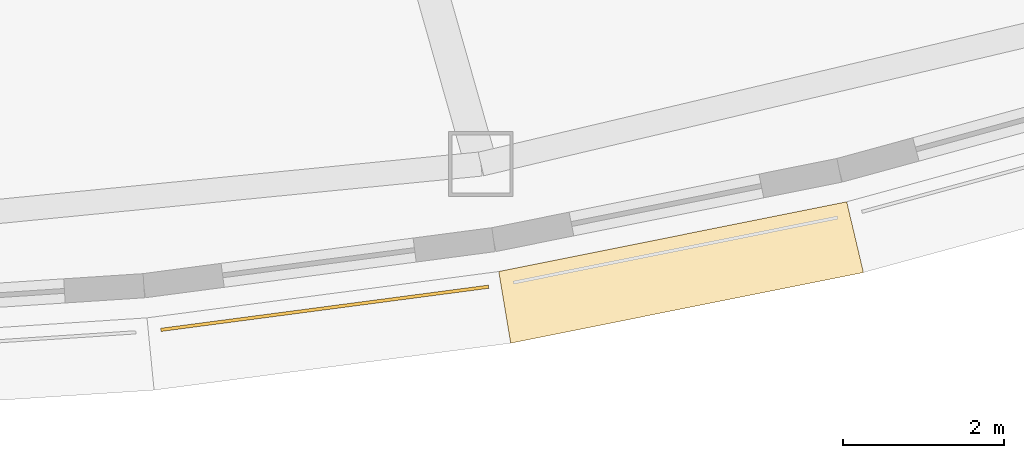
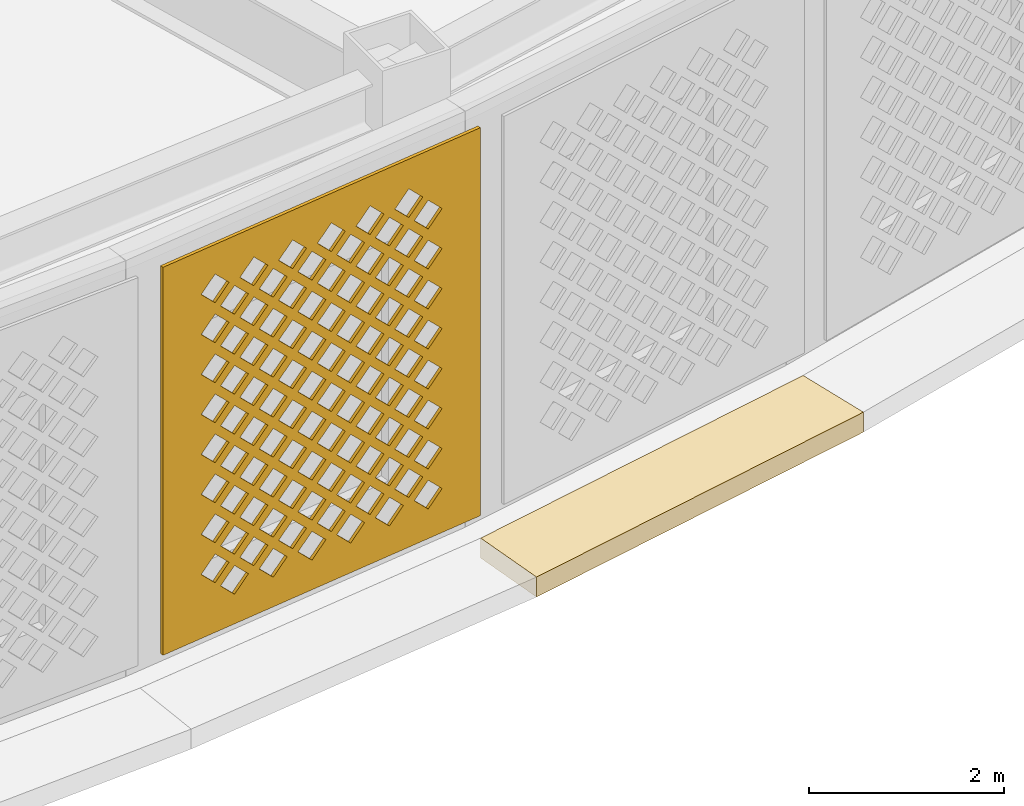
# One storey, part 49 of 63: 2 coverings.
"""IFC4 building model written with IfcOpenShell, lengths in metres."""

import ifcopenshell
import ifcopenshell.guid

model = None  # the IFC model being written
_history = None  # IfcOwnerHistory: only IFC2X3 demands one
_inside = {}  # id of a spatial element -> (the spatial element, [elements in it])
_under = {}  # id of a project, library or spatial element -> (it, [spatial elements below it])
_declared = {}  # id of a project -> (the project, [libraries it declares])
_typed = {}  # id of a type object -> (the type object, [elements of that type])
_made_of = {}  # id of a material, layer set ... -> (it, [elements and type objects made of it])


def new_model(schema):
    """Start an empty IFC model of exactly this schema.

    Asked for "IFC4X3", IfcOpenShell would pick the latest addendum, in which some entities
    have other attributes; the version numbers below select the first issue.
    IFC2X3 requires an IfcOwnerHistory on every rooted entity: one is made here for all.
    """
    global model, _history
    if schema == "IFC4X3":
        model = ifcopenshell.file(schema_version=(4, 3, 0, 0))
    else:
        model = ifcopenshell.file(schema=schema)
    _inside.clear()
    _under.clear()
    _declared.clear()
    _typed.clear()
    _made_of.clear()
    _history = None
    if model.schema == "IFC2X3":
        org = make("IfcOrganization", Name="unknown")
        user = make(
            "IfcPersonAndOrganization",
            ThePerson=make("IfcPerson", FamilyName="unknown"),
            TheOrganization=org,
        )
        app = make(
            "IfcApplication",
            ApplicationDeveloper=org,
            Version="unknown",
            ApplicationFullName="unknown",
            ApplicationIdentifier="unknown",
        )
        _history = make(
            "IfcOwnerHistory",
            OwningUser=user,
            OwningApplication=app,
            ChangeAction="ADDED",
            CreationDate=0,
        )
    return model


def make(cls, **values):
    """One entity of the class cls with the attributes given. An attribute that is None is left unset."""
    return model.create_entity(
        cls, **{name: value for name, value in values.items() if value is not None}
    )


def rooted(cls, **values):
    """An entity with a GlobalId (a new one), such as an element, a storey or a relation."""
    return make(cls, GlobalId=ifcopenshell.guid.new(), OwnerHistory=_history, **values)


def si_unit(unit_type, name, prefix=None):
    """IfcSIUnit, for example si_unit("LENGTHUNIT", "METRE", prefix="MILLI")."""
    return make("IfcSIUnit", UnitType=unit_type, Prefix=prefix, Name=name)


def assignment(units):
    """IfcUnitAssignment: the units of a project."""
    return None if units is None else make("IfcUnitAssignment", Units=units)


def point(xyz):
    """IfcCartesianPoint."""
    return None if xyz is None else make("IfcCartesianPoint", Coordinates=xyz)


def direction(xyz):
    """IfcDirection."""
    return None if xyz is None else make("IfcDirection", DirectionRatios=xyz)


def frame(location, z_axis=None, x_axis=None):
    """IfcAxis2Placement3D, a coordinate frame: its origin and axes. An axis left out is left unset."""
    return make(
        "IfcAxis2Placement3D",
        Location=point(location),
        Axis=direction(z_axis),
        RefDirection=direction(x_axis),
    )


def origin():
    """The frame at (0, 0, 0) with its axes left unset."""
    return frame((0.0, 0.0, 0.0))


def place(relative_to, where):
    """IfcLocalPlacement: puts the frame where relative to a parent placement (None: the world)."""
    return make(
        "IfcLocalPlacement", PlacementRelTo=relative_to, RelativePlacement=where
    )


def context(
    kind, dimensions, precision=None, world=None, true_north=None, identifier=None
):
    """IfcGeometricRepresentationContext, for example the 3D "Model" context."""
    return make(
        "IfcGeometricRepresentationContext",
        ContextIdentifier=identifier,
        ContextType=kind,
        CoordinateSpaceDimension=dimensions,
        Precision=precision,
        WorldCoordinateSystem=world,
        TrueNorth=true_north,
    )


def subcontext(parent, identifier, kind, view, scale=None):
    """IfcGeometricRepresentationSubContext, for example "Body" below "Model"."""
    return make(
        "IfcGeometricRepresentationSubContext",
        ContextIdentifier=identifier,
        ContextType=kind,
        ParentContext=parent,
        TargetScale=scale,
        TargetView=view,
    )


def project(units=None, contexts=None):
    """IfcProject with its units and contexts."""
    return rooted(
        "IfcProject",
        Name="project",
        RepresentationContexts=contexts,
        UnitsInContext=assignment(units),
    )


def spatial(cls, under=None, at=None, **own):
    """A site, building, storey or space (cls), placed at a placement, below another one or the project."""
    s = rooted(cls, ObjectPlacement=at, **own)
    if under is not None:
        _under.setdefault(under.id(), (under, []))[1].append(s)
    return s


def polyline(points):
    """IfcPolyline through the points."""
    return make("IfcPolyline", Points=[point(p) for p in points])


def outline(outer, holes=None, kind="AREA"):
    """IfcArbitraryClosedProfileDef: a profile drawn as a closed curve; with holes, ...WithVoids."""
    if holes is None:
        return make("IfcArbitraryClosedProfileDef", ProfileType=kind, OuterCurve=outer)
    return make(
        "IfcArbitraryProfileDefWithVoids",
        ProfileType=kind,
        OuterCurve=outer,
        InnerCurves=holes,
    )


def extrude(swept, where, along, depth):
    """IfcExtrudedAreaSolid: the profile swept, set in the frame where, extruded along a direction by depth."""
    return make(
        "IfcExtrudedAreaSolid",
        SweptArea=swept,
        Position=where,
        ExtrudedDirection=direction(along),
        Depth=depth,
    )


def shape(context_of_items, identifier, shape_type, items):
    """IfcShapeRepresentation: the items that make up one representation, for example the "Body"."""
    return make(
        "IfcShapeRepresentation",
        ContextOfItems=context_of_items,
        RepresentationIdentifier=identifier,
        RepresentationType=shape_type,
        Items=items,
    )


def material(Name=None, Category=None):
    """IfcMaterial."""
    return make("IfcMaterial", Name=Name, Category=Category)


def layer(
    of_material, thickness, ventilated=None, Name=None, Category=None, Priority=None
):
    """IfcMaterialLayer: one layer of a wall or slab, of a material (None: an air gap)."""
    return make(
        "IfcMaterialLayer",
        Material=of_material,
        LayerThickness=thickness,
        IsVentilated=ventilated,
        Name=Name,
        Category=Category,
        Priority=Priority,
    )


def layer_set(layers, Name=None):
    """IfcMaterialLayerSet."""
    return make("IfcMaterialLayerSet", MaterialLayers=layers, LayerSetName=Name)


def made_of(thing, what):
    """Note that an element or type object is made of a material, layer set ...; save() writes the relation."""
    if what is not None:
        _made_of.setdefault(what.id(), (what, []))[1].append(thing)
    return thing


def type_object(cls, material=None, **own):
    """A type object (cls), such as IfcWallType, which elements share."""
    return made_of(rooted(cls, **own), material)


def element(
    cls,
    number,
    at=None,
    inside=None,
    cuts=None,
    type_object=None,
    material=None,
    context=None,
    identifier="Body",
    shape_type=None,
    held_by="IfcProductDefinitionShape",
    body=None,
    shapes=None,
    **own,
):
    """One element of the class cls, such as IfcWall. Its Tag is "e" and its number.

    at: its placement. inside: the storey or other place that contains it. cuts: it is an
    opening in that element (IfcRelVoidsElement). A single representation is given by context,
    identifier, shape_type and body (its items); several are given by shapes. held_by: the class
    of the entity that holds the representations. save() writes the other relations.
    """
    e = rooted(cls, Tag="e%d" % number, ObjectPlacement=at, **own)
    if body is not None:
        shapes = [shape(context, identifier, shape_type, body)]
    if shapes is not None:
        e.Representation = make(held_by, Representations=shapes)
    if inside is not None:
        _inside.setdefault(inside.id(), (inside, []))[1].append(e)
    if cuts is not None:
        rooted(
            "IfcRelVoidsElement", RelatingBuildingElement=cuts, RelatedOpeningElement=e
        )
    if type_object is not None:
        _typed.setdefault(type_object.id(), (type_object, []))[1].append(e)
    return made_of(e, material)


def aggregate(whole, parts):
    """IfcRelAggregates: a whole, such as a stair, and the parts it consists of."""
    return rooted("IfcRelAggregates", RelatingObject=whole, RelatedObjects=parts)


def save(model, path):
    """Write the relations noted so far, then the file.

    IfcRelAggregates (storeys below a building ...), IfcRelContainedInSpatialStructure (elements
    in a storey), IfcRelDefinesByType, IfcRelAssociatesMaterial and IfcRelDeclares: one each for
    every whole, place, type object, material and project.
    """
    for whole, parts in _under.values():
        aggregate(whole, parts)
    for where, things in _inside.values():
        rooted(
            "IfcRelContainedInSpatialStructure",
            RelatedElements=things,
            RelatingStructure=where,
        )
    for kind, things in _typed.values():
        rooted("IfcRelDefinesByType", RelatedObjects=things, RelatingType=kind)
    for what, things in _made_of.values():
        rooted("IfcRelAssociatesMaterial", RelatedObjects=things, RelatingMaterial=what)
    for by, libraries in _declared.values():
        rooted("IfcRelDeclares", RelatingContext=by, RelatedDefinitions=libraries)
    model.write(path)


model = new_model("IFC4")

# Units and contexts
model_context = context("Model", 3, precision=1e-05, world=origin(), true_north=direction((0.0, 1.0)))
body_context = subcontext(model_context, "Body", "Model", "MODEL_VIEW")
ifc_project = project(units=[si_unit("LENGTHUNIT", "METRE"), si_unit("AREAUNIT", "SQUARE_METRE"), si_unit("VOLUMEUNIT", "CUBIC_METRE"), si_unit("PLANEANGLEUNIT", "RADIAN"), si_unit("MASSUNIT", "GRAM", prefix="KILO")], contexts=[model_context])

# Site, building, storey
site_placement = place(None, origin())
site = spatial("IfcSite", under=ifc_project, at=site_placement, CompositionType="ELEMENT")
building_placement = place(site_placement, origin())
building = spatial("IfcBuilding", under=site, at=building_placement, Name="Noorbagh Ring Tower", CompositionType="ELEMENT")
storey_placement = place(building_placement, frame((0.0, 0.0, 25.0)))
storey = spatial("IfcBuildingStorey", under=building, at=storey_placement, Name="L04", CompositionType="ELEMENT", Elevation=25.0)

# Coverings
ifc_material_1 = material(Name="Red sandstone eave", Category="masonry")
covering_type_1 = type_object("IfcCoveringType", Name="STY-CHHAJJA", PredefinedType="USERDEFINED", material=ifc_material_1)
covering_1_placement = place(storey_placement, frame((0.0, 0.0, -0.25)))
element("IfcCovering", 1, at=covering_1_placement, inside=storey, type_object=covering_type_1, Name="Chhajja eave", ObjectType="CHHAJJA", PredefinedType="USERDEFINED", context=body_context, shape_type="SweptSolid", body=[
    extrude(outline(polyline([(10.945556640625, -39.103759765625), (15.2568359375, -38.239501953125), (15.464111328125, -39.115966796875), (11.093017578125, -39.9921875), (10.945556640625, -39.103759765625)])), origin(), (0.0, 0.0, 1.0), 0.25),
])
ifc_material_2 = material(Name="Red sandstone jali", Category="masonry")
ifc_layer = layer(ifc_material_2, 0.0400390625)
ifc_layer_set = layer_set([ifc_layer], Name="Red sandstone jali")
covering_type_2 = type_object("IfcCoveringType", Name="STY-JALI", PredefinedType="USERDEFINED", material=ifc_layer_set)
covering_2_placement = place(storey_placement, frame((6.759765625, -39.8466796875, 0.449951171875), z_axis=(0.130559329934, -0.991440498148, 0.0), x_axis=(0.991440498148, 0.130559329934, 0.0)))
element("IfcCovering", 2, at=covering_2_placement, inside=storey, type_object=covering_type_2, Name="Jali screen", ObjectType="SCREEN", PredefinedType="USERDEFINED", context=body_context, shape_type="SweptSolid", body=[
    extrude(outline(polyline([(0.0, 0.0), (4.09716796875, 0.0), (4.09716796875, 4.85009765625), (0.0, 4.85009765625), (0.0, 0.0)]), holes=[polyline([(0.743408203125, 0.550048828125), (0.923583984375, 0.3701171875), (1.103515625, 0.550048828125), (0.923583984375, 0.72998046875), (0.743408203125, 0.550048828125)]), polyline([(1.243408203125, 0.550048828125), (1.423583984375, 0.3701171875), (1.603515625, 0.550048828125), (1.423583984375, 0.72998046875), (1.243408203125, 0.550048828125)]), polyline([(1.743408203125, 0.550048828125), (1.923583984375, 0.3701171875), (2.103515625, 0.550048828125), (1.923583984375, 0.72998046875), (1.743408203125, 0.550048828125)]), polyline([(2.243408203125, 0.550048828125), (2.423583984375, 0.3701171875), (2.603515625, 0.550048828125), (2.423583984375, 0.72998046875), (2.243408203125, 0.550048828125)]), polyline([(2.743408203125, 0.550048828125), (2.923583984375, 0.3701171875), (3.103515625, 0.550048828125), (2.923583984375, 0.72998046875), (2.743408203125, 0.550048828125)]), polyline([(3.243408203125, 0.550048828125), (3.423583984375, 0.3701171875), (3.603515625, 0.550048828125), (3.423583984375, 0.72998046875), (3.243408203125, 0.550048828125)]), polyline([(0.493408203125, 0.800048828125), (0.673583984375, 0.6201171875), (0.853515625, 0.800048828125), (0.673583984375, 0.97998046875), (0.493408203125, 0.800048828125)]), polyline([(0.993408203125, 0.800048828125), (1.173583984375, 0.6201171875), (1.353515625, 0.800048828125), (1.173583984375, 0.97998046875), (0.993408203125, 0.800048828125)]), polyline([(1.493408203125, 0.800048828125), (1.673583984375, 0.6201171875), (1.853515625, 0.800048828125), (1.673583984375, 0.97998046875), (1.493408203125, 0.800048828125)]), polyline([(1.993408203125, 0.800048828125), (2.173583984375, 0.6201171875), (2.353515625, 0.800048828125), (2.173583984375, 0.97998046875), (1.993408203125, 0.800048828125)]), polyline([(2.493408203125, 0.800048828125), (2.673583984375, 0.6201171875), (2.853515625, 0.800048828125), (2.673583984375, 0.97998046875), (2.493408203125, 0.800048828125)]), polyline([(2.993408203125, 0.800048828125), (3.173583984375, 0.6201171875), (3.353515625, 0.800048828125), (3.173583984375, 0.97998046875), (2.993408203125, 0.800048828125)]), polyline([(0.743408203125, 1.050048828125), (0.923583984375, 0.8701171875), (1.103515625, 1.050048828125), (0.923583984375, 1.22998046875), (0.743408203125, 1.050048828125)]), polyline([(1.243408203125, 1.050048828125), (1.423583984375, 0.8701171875), (1.603515625, 1.050048828125), (1.423583984375, 1.22998046875), (1.243408203125, 1.050048828125)]), polyline([(1.743408203125, 1.050048828125), (1.923583984375, 0.8701171875), (2.103515625, 1.050048828125), (1.923583984375, 1.22998046875), (1.743408203125, 1.050048828125)]), polyline([(2.243408203125, 1.050048828125), (2.423583984375, 0.8701171875), (2.603515625, 1.050048828125), (2.423583984375, 1.22998046875), (2.243408203125, 1.050048828125)]), polyline([(2.743408203125, 1.050048828125), (2.923583984375, 0.8701171875), (3.103515625, 1.050048828125), (2.923583984375, 1.22998046875), (2.743408203125, 1.050048828125)]), polyline([(3.243408203125, 1.050048828125), (3.423583984375, 0.8701171875), (3.603515625, 1.050048828125), (3.423583984375, 1.22998046875), (3.243408203125, 1.050048828125)]), polyline([(0.493408203125, 1.300048828125), (0.673583984375, 1.1201171875), (0.853515625, 1.300048828125), (0.673583984375, 1.47998046875), (0.493408203125, 1.300048828125)]), polyline([(0.993408203125, 1.300048828125), (1.173583984375, 1.1201171875), (1.353515625, 1.300048828125), (1.173583984375, 1.47998046875), (0.993408203125, 1.300048828125)]), polyline([(1.493408203125, 1.300048828125), (1.673583984375, 1.1201171875), (1.853515625, 1.300048828125), (1.673583984375, 1.47998046875), (1.493408203125, 1.300048828125)]), polyline([(1.993408203125, 1.300048828125), (2.173583984375, 1.1201171875), (2.353515625, 1.300048828125), (2.173583984375, 1.47998046875), (1.993408203125, 1.300048828125)]), polyline([(2.493408203125, 1.300048828125), (2.673583984375, 1.1201171875), (2.853515625, 1.300048828125), (2.673583984375, 1.47998046875), (2.493408203125, 1.300048828125)]), polyline([(2.993408203125, 1.300048828125), (3.173583984375, 1.1201171875), (3.353515625, 1.300048828125), (3.173583984375, 1.47998046875), (2.993408203125, 1.300048828125)]), polyline([(0.743408203125, 1.550048828125), (0.923583984375, 1.3701171875), (1.103515625, 1.550048828125), (0.923583984375, 1.72998046875), (0.743408203125, 1.550048828125)]), polyline([(1.243408203125, 1.550048828125), (1.423583984375, 1.3701171875), (1.603515625, 1.550048828125), (1.423583984375, 1.72998046875), (1.243408203125, 1.550048828125)]), polyline([(1.743408203125, 1.550048828125), (1.923583984375, 1.3701171875), (2.103515625, 1.550048828125), (1.923583984375, 1.72998046875), (1.743408203125, 1.550048828125)]), polyline([(2.243408203125, 1.550048828125), (2.423583984375, 1.3701171875), (2.603515625, 1.550048828125), (2.423583984375, 1.72998046875), (2.243408203125, 1.550048828125)]), polyline([(2.743408203125, 1.550048828125), (2.923583984375, 1.3701171875), (3.103515625, 1.550048828125), (2.923583984375, 1.72998046875), (2.743408203125, 1.550048828125)]), polyline([(3.243408203125, 1.550048828125), (3.423583984375, 1.3701171875), (3.603515625, 1.550048828125), (3.423583984375, 1.72998046875), (3.243408203125, 1.550048828125)]), polyline([(0.493408203125, 1.800048828125), (0.673583984375, 1.6201171875), (0.853515625, 1.800048828125), (0.673583984375, 1.97998046875), (0.493408203125, 1.800048828125)]), polyline([(0.993408203125, 1.800048828125), (1.173583984375, 1.6201171875), (1.353515625, 1.800048828125), (1.173583984375, 1.97998046875), (0.993408203125, 1.800048828125)]), polyline([(1.493408203125, 1.800048828125), (1.673583984375, 1.6201171875), (1.853515625, 1.800048828125), (1.673583984375, 1.97998046875), (1.493408203125, 1.800048828125)]), polyline([(1.993408203125, 1.800048828125), (2.173583984375, 1.6201171875), (2.353515625, 1.800048828125), (2.173583984375, 1.97998046875), (1.993408203125, 1.800048828125)]), polyline([(2.493408203125, 1.800048828125), (2.673583984375, 1.6201171875), (2.853515625, 1.800048828125), (2.673583984375, 1.97998046875), (2.493408203125, 1.800048828125)]), polyline([(2.993408203125, 1.800048828125), (3.173583984375, 1.6201171875), (3.353515625, 1.800048828125), (3.173583984375, 1.97998046875), (2.993408203125, 1.800048828125)]), polyline([(0.743408203125, 2.050048828125), (0.923583984375, 1.8701171875), (1.103515625, 2.050048828125), (0.923583984375, 2.22998046875), (0.743408203125, 2.050048828125)]), polyline([(1.243408203125, 2.050048828125), (1.423583984375, 1.8701171875), (1.603515625, 2.050048828125), (1.423583984375, 2.22998046875), (1.243408203125, 2.050048828125)]), polyline([(1.743408203125, 2.050048828125), (1.923583984375, 1.8701171875), (2.103515625, 2.050048828125), (1.923583984375, 2.22998046875), (1.743408203125, 2.050048828125)]), polyline([(2.243408203125, 2.050048828125), (2.423583984375, 1.8701171875), (2.603515625, 2.050048828125), (2.423583984375, 2.22998046875), (2.243408203125, 2.050048828125)]), polyline([(2.743408203125, 2.050048828125), (2.923583984375, 1.8701171875), (3.103515625, 2.050048828125), (2.923583984375, 2.22998046875), (2.743408203125, 2.050048828125)]), polyline([(3.243408203125, 2.050048828125), (3.423583984375, 1.8701171875), (3.603515625, 2.050048828125), (3.423583984375, 2.22998046875), (3.243408203125, 2.050048828125)]), polyline([(0.493408203125, 2.300048828125), (0.673583984375, 2.1201171875), (0.853515625, 2.300048828125), (0.673583984375, 2.47998046875), (0.493408203125, 2.300048828125)]), polyline([(0.993408203125, 2.300048828125), (1.173583984375, 2.1201171875), (1.353515625, 2.300048828125), (1.173583984375, 2.47998046875), (0.993408203125, 2.300048828125)]), polyline([(1.493408203125, 2.300048828125), (1.673583984375, 2.1201171875), (1.853515625, 2.300048828125), (1.673583984375, 2.47998046875), (1.493408203125, 2.300048828125)]), polyline([(1.993408203125, 2.300048828125), (2.173583984375, 2.1201171875), (2.353515625, 2.300048828125), (2.173583984375, 2.47998046875), (1.993408203125, 2.300048828125)]), polyline([(2.493408203125, 2.300048828125), (2.673583984375, 2.1201171875), (2.853515625, 2.300048828125), (2.673583984375, 2.47998046875), (2.493408203125, 2.300048828125)]), polyline([(2.993408203125, 2.300048828125), (3.173583984375, 2.1201171875), (3.353515625, 2.300048828125), (3.173583984375, 2.47998046875), (2.993408203125, 2.300048828125)]), polyline([(0.743408203125, 2.550048828125), (0.923583984375, 2.3701171875), (1.103515625, 2.550048828125), (0.923583984375, 2.72998046875), (0.743408203125, 2.550048828125)]), polyline([(1.243408203125, 2.550048828125), (1.423583984375, 2.3701171875), (1.603515625, 2.550048828125), (1.423583984375, 2.72998046875), (1.243408203125, 2.550048828125)]), polyline([(1.743408203125, 2.550048828125), (1.923583984375, 2.3701171875), (2.103515625, 2.550048828125), (1.923583984375, 2.72998046875), (1.743408203125, 2.550048828125)]), polyline([(2.243408203125, 2.550048828125), (2.423583984375, 2.3701171875), (2.603515625, 2.550048828125), (2.423583984375, 2.72998046875), (2.243408203125, 2.550048828125)]), polyline([(2.743408203125, 2.550048828125), (2.923583984375, 2.3701171875), (3.103515625, 2.550048828125), (2.923583984375, 2.72998046875), (2.743408203125, 2.550048828125)]), polyline([(3.243408203125, 2.550048828125), (3.423583984375, 2.3701171875), (3.603515625, 2.550048828125), (3.423583984375, 2.72998046875), (3.243408203125, 2.550048828125)]), polyline([(0.493408203125, 2.800048828125), (0.673583984375, 2.6201171875), (0.853515625, 2.800048828125), (0.673583984375, 2.97998046875), (0.493408203125, 2.800048828125)]), polyline([(0.993408203125, 2.800048828125), (1.173583984375, 2.6201171875), (1.353515625, 2.800048828125), (1.173583984375, 2.97998046875), (0.993408203125, 2.800048828125)]), polyline([(1.493408203125, 2.800048828125), (1.673583984375, 2.6201171875), (1.853515625, 2.800048828125), (1.673583984375, 2.97998046875), (1.493408203125, 2.800048828125)]), polyline([(1.993408203125, 2.800048828125), (2.173583984375, 2.6201171875), (2.353515625, 2.800048828125), (2.173583984375, 2.97998046875), (1.993408203125, 2.800048828125)]), polyline([(2.493408203125, 2.800048828125), (2.673583984375, 2.6201171875), (2.853515625, 2.800048828125), (2.673583984375, 2.97998046875), (2.493408203125, 2.800048828125)]), polyline([(2.993408203125, 2.800048828125), (3.173583984375, 2.6201171875), (3.353515625, 2.800048828125), (3.173583984375, 2.97998046875), (2.993408203125, 2.800048828125)]), polyline([(0.743408203125, 3.050048828125), (0.923583984375, 2.8701171875), (1.103515625, 3.050048828125), (0.923583984375, 3.22998046875), (0.743408203125, 3.050048828125)]), polyline([(1.243408203125, 3.050048828125), (1.423583984375, 2.8701171875), (1.603515625, 3.050048828125), (1.423583984375, 3.22998046875), (1.243408203125, 3.050048828125)]), polyline([(1.743408203125, 3.050048828125), (1.923583984375, 2.8701171875), (2.103515625, 3.050048828125), (1.923583984375, 3.22998046875), (1.743408203125, 3.050048828125)]), polyline([(2.243408203125, 3.050048828125), (2.423583984375, 2.8701171875), (2.603515625, 3.050048828125), (2.423583984375, 3.22998046875), (2.243408203125, 3.050048828125)]), polyline([(2.743408203125, 3.050048828125), (2.923583984375, 2.8701171875), (3.103515625, 3.050048828125), (2.923583984375, 3.22998046875), (2.743408203125, 3.050048828125)]), polyline([(3.243408203125, 3.050048828125), (3.423583984375, 2.8701171875), (3.603515625, 3.050048828125), (3.423583984375, 3.22998046875), (3.243408203125, 3.050048828125)]), polyline([(0.493408203125, 3.300048828125), (0.673583984375, 3.1201171875), (0.853515625, 3.300048828125), (0.673583984375, 3.47998046875), (0.493408203125, 3.300048828125)]), polyline([(0.993408203125, 3.300048828125), (1.173583984375, 3.1201171875), (1.353515625, 3.300048828125), (1.173583984375, 3.47998046875), (0.993408203125, 3.300048828125)]), polyline([(1.493408203125, 3.300048828125), (1.673583984375, 3.1201171875), (1.853515625, 3.300048828125), (1.673583984375, 3.47998046875), (1.493408203125, 3.300048828125)]), polyline([(1.993408203125, 3.300048828125), (2.173583984375, 3.1201171875), (2.353515625, 3.300048828125), (2.173583984375, 3.47998046875), (1.993408203125, 3.300048828125)]), polyline([(2.493408203125, 3.300048828125), (2.673583984375, 3.1201171875), (2.853515625, 3.300048828125), (2.673583984375, 3.47998046875), (2.493408203125, 3.300048828125)]), polyline([(2.993408203125, 3.300048828125), (3.173583984375, 3.1201171875), (3.353515625, 3.300048828125), (3.173583984375, 3.47998046875), (2.993408203125, 3.300048828125)]), polyline([(0.743408203125, 3.550048828125), (0.923583984375, 3.3701171875), (1.103515625, 3.550048828125), (0.923583984375, 3.72998046875), (0.743408203125, 3.550048828125)]), polyline([(1.243408203125, 3.550048828125), (1.423583984375, 3.3701171875), (1.603515625, 3.550048828125), (1.423583984375, 3.72998046875), (1.243408203125, 3.550048828125)]), polyline([(1.743408203125, 3.550048828125), (1.923583984375, 3.3701171875), (2.103515625, 3.550048828125), (1.923583984375, 3.72998046875), (1.743408203125, 3.550048828125)]), polyline([(2.243408203125, 3.550048828125), (2.423583984375, 3.3701171875), (2.603515625, 3.550048828125), (2.423583984375, 3.72998046875), (2.243408203125, 3.550048828125)]), polyline([(2.743408203125, 3.550048828125), (2.923583984375, 3.3701171875), (3.103515625, 3.550048828125), (2.923583984375, 3.72998046875), (2.743408203125, 3.550048828125)]), polyline([(3.243408203125, 3.550048828125), (3.423583984375, 3.3701171875), (3.603515625, 3.550048828125), (3.423583984375, 3.72998046875), (3.243408203125, 3.550048828125)]), polyline([(0.493408203125, 3.800048828125), (0.673583984375, 3.6201171875), (0.853515625, 3.800048828125), (0.673583984375, 3.97998046875), (0.493408203125, 3.800048828125)]), polyline([(0.993408203125, 3.800048828125), (1.173583984375, 3.6201171875), (1.353515625, 3.800048828125), (1.173583984375, 3.97998046875), (0.993408203125, 3.800048828125)]), polyline([(1.493408203125, 3.800048828125), (1.673583984375, 3.6201171875), (1.853515625, 3.800048828125), (1.673583984375, 3.97998046875), (1.493408203125, 3.800048828125)]), polyline([(1.993408203125, 3.800048828125), (2.173583984375, 3.6201171875), (2.353515625, 3.800048828125), (2.173583984375, 3.97998046875), (1.993408203125, 3.800048828125)]), polyline([(2.493408203125, 3.800048828125), (2.673583984375, 3.6201171875), (2.853515625, 3.800048828125), (2.673583984375, 3.97998046875), (2.493408203125, 3.800048828125)]), polyline([(2.993408203125, 3.800048828125), (3.173583984375, 3.6201171875), (3.353515625, 3.800048828125), (3.173583984375, 3.97998046875), (2.993408203125, 3.800048828125)]), polyline([(0.743408203125, 4.050048828125), (0.923583984375, 3.8701171875), (1.103515625, 4.050048828125), (0.923583984375, 4.22998046875), (0.743408203125, 4.050048828125)]), polyline([(1.243408203125, 4.050048828125), (1.423583984375, 3.8701171875), (1.603515625, 4.050048828125), (1.423583984375, 4.22998046875), (1.243408203125, 4.050048828125)]), polyline([(1.743408203125, 4.050048828125), (1.923583984375, 3.8701171875), (2.103515625, 4.050048828125), (1.923583984375, 4.22998046875), (1.743408203125, 4.050048828125)]), polyline([(2.243408203125, 4.050048828125), (2.423583984375, 3.8701171875), (2.603515625, 4.050048828125), (2.423583984375, 4.22998046875), (2.243408203125, 4.050048828125)]), polyline([(2.743408203125, 4.050048828125), (2.923583984375, 3.8701171875), (3.103515625, 4.050048828125), (2.923583984375, 4.22998046875), (2.743408203125, 4.050048828125)]), polyline([(3.243408203125, 4.050048828125), (3.423583984375, 3.8701171875), (3.603515625, 4.050048828125), (3.423583984375, 4.22998046875), (3.243408203125, 4.050048828125)]), polyline([(0.493408203125, 4.300048828125), (0.673583984375, 4.1201171875), (0.853515625, 4.300048828125), (0.673583984375, 4.47998046875), (0.493408203125, 4.300048828125)]), polyline([(0.993408203125, 4.300048828125), (1.173583984375, 4.1201171875), (1.353515625, 4.300048828125), (1.173583984375, 4.47998046875), (0.993408203125, 4.300048828125)]), polyline([(1.493408203125, 4.300048828125), (1.673583984375, 4.1201171875), (1.853515625, 4.300048828125), (1.673583984375, 4.47998046875), (1.493408203125, 4.300048828125)]), polyline([(1.993408203125, 4.300048828125), (2.173583984375, 4.1201171875), (2.353515625, 4.300048828125), (2.173583984375, 4.47998046875), (1.993408203125, 4.300048828125)]), polyline([(2.493408203125, 4.300048828125), (2.673583984375, 4.1201171875), (2.853515625, 4.300048828125), (2.673583984375, 4.47998046875), (2.493408203125, 4.300048828125)]), polyline([(2.993408203125, 4.300048828125), (3.173583984375, 4.1201171875), (3.353515625, 4.300048828125), (3.173583984375, 4.47998046875), (2.993408203125, 4.300048828125)])]), origin(), (0.0, 0.0, -1.0), 0.0400390625),
])

save(model, "model.ifc")
